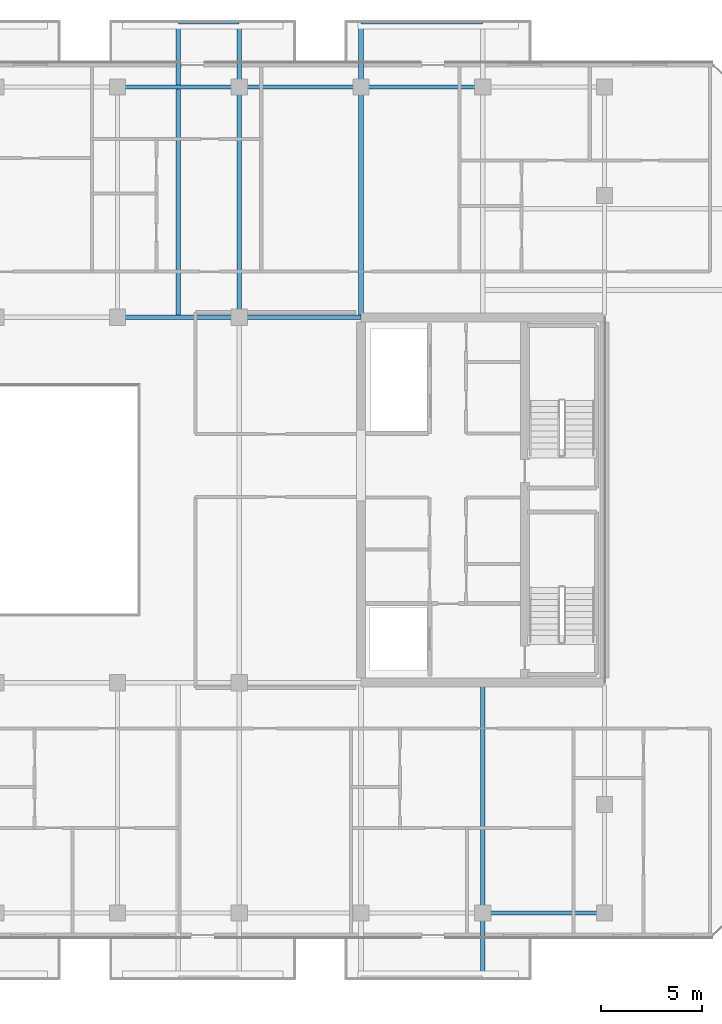
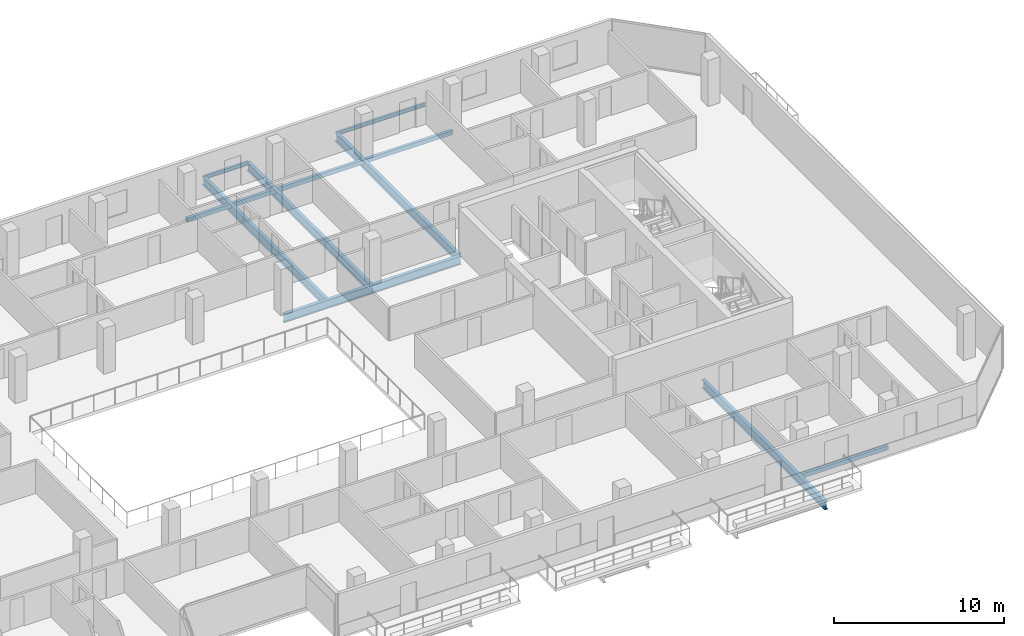
# One storey, part 13 of 29: 12 beams.
"""IFC4 building model written with IfcOpenShell, lengths in metres."""

from ifc_helpers import new_model, si_unit, direction, frame, origin, origin_2d, place, context, subcontext, project, spatial, hollow_rectangle, i_section, extrude, material, material_profile, profile_set, type_object, element, save


model = new_model("IFC4")

# Units and contexts
model_context = context("Model", 3, precision=1e-05, world=origin(), true_north=direction((0.0, 1.0)))
body_context = subcontext(model_context, "Body", "Model", "MODEL_VIEW")
ifc_project = project(units=[si_unit("LENGTHUNIT", "METRE"), si_unit("AREAUNIT", "SQUARE_METRE"), si_unit("VOLUMEUNIT", "CUBIC_METRE"), si_unit("PLANEANGLEUNIT", "RADIAN"), si_unit("MASSUNIT", "GRAM", prefix="KILO")], contexts=[model_context])

# Site, building, storey
site_placement = place(None, origin())
site = spatial("IfcSite", under=ifc_project, at=site_placement, CompositionType="ELEMENT")
building_placement = place(site_placement, origin())
building = spatial("IfcBuilding", under=site, at=building_placement, Name="Tanjung Sevakor Pilgrim Tower", CompositionType="ELEMENT")
storey_placement = place(building_placement, frame((0.0, 0.0, 181.830078125)))
storey = spatial("IfcBuildingStorey", under=building, at=storey_placement, Name="L50", CompositionType="ELEMENT", Elevation=181.830078125)

# Beams
ifc_material_1 = material(Name="Steel S355J2", Category="steel")
ifc_material_profile_1 = material_profile(ifc_material_1, i_section(OverallWidth=0.22900390625, OverallDepth=0.6123046875, WebThickness=0.011962890625, FlangeThickness=0.01953125, FilletRadius=0.0126953125, at=origin_2d()))
ifc_profile_set_1 = profile_set([ifc_material_profile_1], Name="Steel S355J2")
beam_type_1 = type_object("IfcBeamType", Name="BM-B-G4-UB_610x229x125", PredefinedType="BEAM", material=ifc_profile_set_1)
for number, where, z_axis, x_axis, name in (
    (1, (66.0, 42.60009765625, -0.526123046875), (1.0, 0.0, 0.0), (0.0, 1.0, 0.0), "L50 Primary Floor Girder MAIN Y426-07"),
    (2, (72.0, 42.60009765625, -0.526123046875), (1.0, 0.0, 0.0), (0.0, 1.0, 0.0), "L50 Primary Floor Girder MAIN Y426-08"),
):
    element("IfcBeam", number, at=place(storey_placement, frame(where, z_axis=z_axis, x_axis=x_axis)), inside=storey, type_object=beam_type_1, Name=name, PredefinedType="BEAM", context=body_context, shape_type="SweptSolid", body=[
        extrude(i_section(OverallWidth=0.22900390625, OverallDepth=0.6123046875, WebThickness=0.011962890625, FlangeThickness=0.01953125, FilletRadius=0.0126953125, at=origin_2d()), origin(), (0.0, 0.0, 1.0), 6.0),
    ])
beam_1_placement = place(storey_placement, frame((69.0, 42.714599609375, -0.526123046875), z_axis=(0.0, 1.0, 0.0), x_axis=(-1.0, 0.0, 0.0)))
element("IfcBeam", 3, at=beam_1_placement, inside=storey, type_object=beam_type_1, Name="L50 Balcony Cantilever Beam MAIN-N3-1", PredefinedType="BEAM", context=body_context, shape_type="SweptSolid", body=[
    extrude(i_section(OverallWidth=0.22900390625, OverallDepth=0.6123046875, WebThickness=0.011962890625, FlangeThickness=0.01953125, FilletRadius=0.0126953125, at=origin_2d()), origin(), (0.0, 0.0, 1.0), 14.415283203125),
])
beam_2_placement = place(storey_placement, frame((72.0, 42.60009765625, -0.526123046875), z_axis=(0.0, 1.0, 0.0), x_axis=(-1.0, 0.0, 0.0)))
element("IfcBeam", 4, at=beam_2_placement, inside=storey, type_object=beam_type_1, Name="L50 Balcony Cantilever Beam MAIN-N3-2", PredefinedType="BEAM", context=body_context, shape_type="SweptSolid", body=[
    extrude(i_section(OverallWidth=0.22900390625, OverallDepth=0.6123046875, WebThickness=0.011962890625, FlangeThickness=0.01953125, FilletRadius=0.0126953125, at=origin_2d()), origin(), (0.0, 0.0, 1.0), 14.52978515625),
])
beam_3_placement = place(storey_placement, frame((78.0, 42.714599609375, -0.526123046875), z_axis=(0.0, 1.0, 0.0), x_axis=(-1.0, 0.0, 0.0)))
element("IfcBeam", 5, at=beam_3_placement, inside=storey, type_object=beam_type_1, Name="L50 Balcony Cantilever Beam MAIN-N4-1", PredefinedType="BEAM", context=body_context, shape_type="SweptSolid", body=[
    extrude(i_section(OverallWidth=0.22900390625, OverallDepth=0.6123046875, WebThickness=0.011962890625, FlangeThickness=0.01953125, FilletRadius=0.0126953125, at=origin_2d()), origin(), (0.0, 0.0, 1.0), 14.415283203125),
])
beam_4_placement = place(storey_placement, frame((84.0, 24.485595703125, -0.526123046875), z_axis=(0.0, -1.0, 0.0), x_axis=(1.0, 0.0, 0.0)))
element("IfcBeam", 6, at=beam_4_placement, inside=storey, type_object=beam_type_1, Name="L50 Balcony Cantilever Beam MAIN-S4-2", PredefinedType="BEAM", context=body_context, shape_type="SweptSolid", body=[
    extrude(i_section(OverallWidth=0.22900390625, OverallDepth=0.6123046875, WebThickness=0.011962890625, FlangeThickness=0.01953125, FilletRadius=0.0126953125, at=origin_2d()), origin(), (0.0, 0.0, 1.0), 14.41552734375),
])
ifc_material_2 = material(Name="Steel S355J2", Category="steel")
ifc_material_profile_2 = material_profile(ifc_material_2, i_section(OverallWidth=0.146484375, OverallDepth=0.256103515625, WebThickness=0.00634765625, FlangeThickness=0.010986328125, FilletRadius=0.007568359375, at=origin_2d()))
ifc_profile_set_2 = profile_set([ifc_material_profile_2], Name="Steel S355J2")
beam_type_2 = type_object("IfcBeamType", Name="BM-B-J6-UB_254x146x37", PredefinedType="JOIST", material=ifc_profile_set_2)
beam_5_placement = place(storey_placement, frame((69.0, 57.1298828125, -0.328125), z_axis=(1.0, 0.0, 0.0), x_axis=(0.0, 1.0, 0.0)))
element("IfcBeam", 7, at=beam_5_placement, inside=storey, type_object=beam_type_2, Name="L50 Balcony Rim Tie MAIN-N3", PredefinedType="JOIST", context=body_context, shape_type="SweptSolid", body=[
    extrude(i_section(OverallWidth=0.146484375, OverallDepth=0.256103515625, WebThickness=0.00634765625, FlangeThickness=0.010986328125, FilletRadius=0.007568359375, at=origin_2d()), origin(), (0.0, 0.0, 1.0), 3.0),
])
beam_6_placement = place(storey_placement, frame((78.0, 57.1298828125, -0.328125), z_axis=(1.0, 0.0, 0.0), x_axis=(0.0, 1.0, 0.0)))
element("IfcBeam", 8, at=beam_6_placement, inside=storey, type_object=beam_type_2, Name="L50 Balcony Rim Tie MAIN-N4", PredefinedType="JOIST", context=body_context, shape_type="SweptSolid", body=[
    extrude(i_section(OverallWidth=0.146484375, OverallDepth=0.256103515625, WebThickness=0.00634765625, FlangeThickness=0.010986328125, FilletRadius=0.007568359375, at=origin_2d()), origin(), (0.0, 0.0, 1.0), 6.0),
])
ifc_material_3 = material(Name="Steel S355J2", Category="steel")
ifc_material_profile_3 = material_profile(ifc_material_3, hollow_rectangle(XDim=0.199951171875, YDim=0.300048828125, WallThickness=0.012451171875, at=origin_2d()))
ifc_profile_set_3 = profile_set([ifc_material_profile_3], Name="Steel S355J2")
beam_type_3 = type_object("IfcBeamType", Name="BM-B-SP3-RHS_300x200x12.5", PredefinedType="SPANDREL", material=ifc_profile_set_3)
for number, where, z_axis, x_axis, name in (
    (9, (66.0, 53.949951171875, -0.3701171875), (1.0, 0.0, 0.0), (0.0, 1.0, 0.0), "L50 Spandrel MAIN N-10"),
    (10, (72.0, 53.949951171875, -0.3701171875), (1.0, 0.0, 0.0), (0.0, 1.0, 0.0), "L50 Spandrel MAIN N-12"),
    (11, (78.0, 53.949951171875, -0.3701171875), (1.0, 0.0, 0.0), (0.0, 1.0, 0.0), "L50 Spandrel MAIN N-14"),
    (12, (84.0, 13.25, -0.3701171875), (1.0, 0.0, 0.0), (0.0, 1.0, 0.0), "L50 Spandrel MAIN S-15"),
):
    element("IfcBeam", number, at=place(storey_placement, frame(where, z_axis=z_axis, x_axis=x_axis)), inside=storey, type_object=beam_type_3, Name=name, PredefinedType="SPANDREL", context=body_context, shape_type="SweptSolid", body=[
        extrude(hollow_rectangle(XDim=0.199951171875, YDim=0.300048828125, WallThickness=0.012451171875, at=origin_2d()), origin(), (0.0, 0.0, 1.0), 6.0),
    ])

save(model, "model.ifc")
